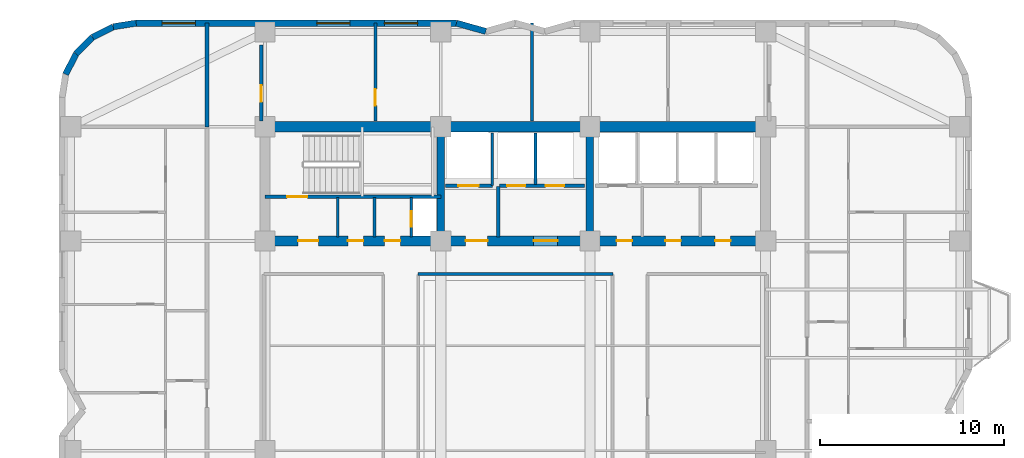
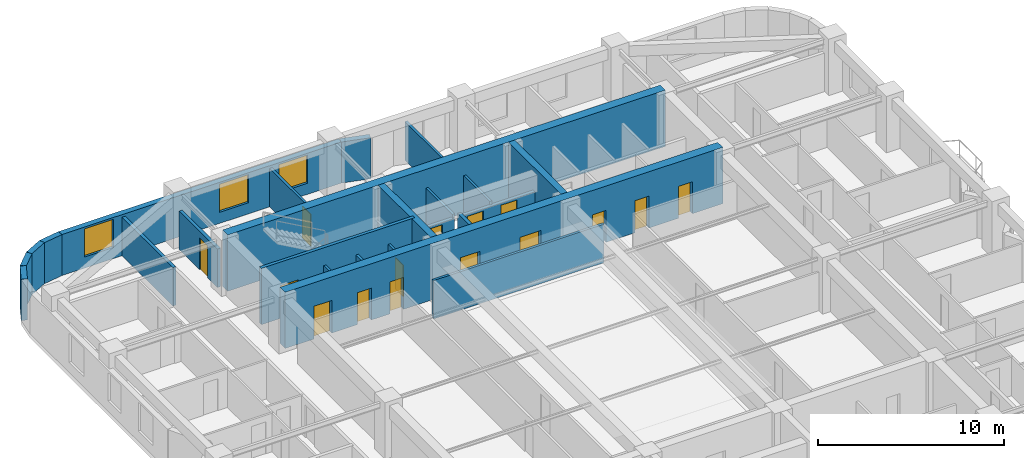
# One storey, part 6 of 10: 24 walls, 15 doors, 3 windows, 18 openings.
"""IFC4 building model written with IfcOpenShell, lengths in metres."""

from ifc_helpers import new_model, si_unit, direction, frame, frame_2d, origin, place, context, subcontext, project, spatial, rectangle, extrude, material, layer, layer_set, type_object, element, fill, save


model = new_model("IFC4")

# Units and contexts
model_context = context("Model", 3, precision=1e-05, world=origin(), true_north=direction((0.0, 1.0)))
body_context = subcontext(model_context, "Body", "Model", "MODEL_VIEW")
ifc_project = project(units=[si_unit("LENGTHUNIT", "METRE"), si_unit("AREAUNIT", "SQUARE_METRE"), si_unit("VOLUMEUNIT", "CUBIC_METRE"), si_unit("PLANEANGLEUNIT", "RADIAN"), si_unit("MASSUNIT", "GRAM", prefix="KILO")], contexts=[model_context])

# Site, building, storey
site_placement = place(None, origin())
site = spatial("IfcSite", under=ifc_project, at=site_placement, CompositionType="ELEMENT")
building_placement = place(site_placement, origin())
building = spatial("IfcBuilding", under=site, at=building_placement, Name="Svetorya Sky Lyceum", CompositionType="ELEMENT")
storey_placement = place(building_placement, frame((0.0, 0.0, 129.0)))
storey = spatial("IfcBuildingStorey", under=building, at=storey_placement, Name="L32", CompositionType="ELEMENT", Elevation=129.0)

# Walls
ifc_material_1 = material(Name="Concrete C40/50", Category="concrete")
ifc_layer_1 = layer(ifc_material_1, 0.39990234375)
ifc_layer_set_1 = layer_set([ifc_layer_1], Name="Concrete C40/50")
wall_type_1 = type_object("IfcWallType", Name="WL-CORE-400", PredefinedType="SHEAR", material=ifc_layer_set_1)
for number, where, z_axis, x_axis, name in (
    (1, (35.14990234375, 39.875, 0.0), (0.0, 0.0, 1.0), (0.0, 1.0, 0.0), "L32 NC Internal Shear Web WEB1"),
    (2, (43.25, 39.875, 0.0), (0.0, 0.0, 1.0), (0.0, 1.0, 0.0), "L32 NC Internal Shear Web WEB2"),
):
    element("IfcWall", number, at=place(storey_placement, frame(where, z_axis=z_axis, x_axis=x_axis)), inside=storey, type_object=wall_type_1, Name=name, PredefinedType="SHEAR", context=body_context, shape_type="SweptSolid", body=[
        extrude(rectangle(XDim=5.64990234375, YDim=0.39990234375, at=frame_2d((2.824951171875, 0.0))), origin(), (0.0, 0.0, 1.0), 3.699951171875),
    ])
ifc_material_2 = material(Name="Concrete C60/75", Category="concrete")
ifc_layer_2 = layer(ifc_material_2, 0.550048828125)
ifc_layer_set_2 = layer_set([ifc_layer_2], Name="Concrete C60/75")
wall_type_2 = type_object("IfcWallType", Name="WL-CORE-550", PredefinedType="SHEAR", material=ifc_layer_set_2)
wall_1_placement = place(storey_placement, frame((25.60009765625, 45.800048828125, 0.0), z_axis=(0.0, 0.0, 1.0), x_axis=(1.0, 0.0, 0.0)))
element("IfcWall", 3, at=wall_1_placement, inside=storey, type_object=wall_type_2, Name="L32 NC Outer Core Shear Wall", PredefinedType="SHEAR", context=body_context, shape_type="SweptSolid", body=[
    extrude(rectangle(XDim=27.199951171875, YDim=0.550048828125, at=frame_2d((13.60009765625, 0.0))), origin(), (0.0, 0.0, 1.0), 3.699951171875),
])

# Wall, openings, doors
wall_2_placement = place(storey_placement, frame((52.800048828125, 39.60009765625, 0.0), z_axis=(0.0, 0.0, 1.0), x_axis=(-1.0, 0.0, 0.0)))
wall_2 = element("IfcWall", 4, at=wall_2_placement, inside=storey, type_object=wall_type_2, Name="L32 NC Inner Core Shear Wall", PredefinedType="SHEAR", context=body_context, shape_type="SweptSolid", body=[
    extrude(rectangle(XDim=27.199951171875, YDim=0.550048828125, at=frame_2d((13.60009765625, 0.0))), origin(), (0.0, 0.0, 1.0), 3.699951171875),
])
opening_1_placement = place(wall_2_placement, frame((24.300048828125, 0.0, 0.0)))
opening_1 = element("IfcOpeningElement", 5, at=opening_1_placement, cuts=wall_2, Name="Opening D-ST1", PredefinedType="OPENING", context=body_context, shape_type="SweptSolid", body=[
    extrude(rectangle(XDim=1.10009765625, YDim=2.14990234375, at=frame_2d((0.550048828125, 1.074951171875))), frame((0.0, 0.284912109375, 0.0), z_axis=(0.0, -1.0, 0.0), x_axis=(1.0, 0.0, 0.0)), (0.0, 0.0, 1.0), 0.570068359375),
])
opening_2_placement = place(wall_2_placement, frame((21.85009765625, 0.0, 0.0)))
opening_2 = element("IfcOpeningElement", 6, at=opening_2_placement, cuts=wall_2, Name="Opening D-CWC1", PredefinedType="OPENING", context=body_context, shape_type="SweptSolid", body=[
    extrude(rectangle(XDim=0.85009765625, YDim=2.10009765625, at=frame_2d((0.425048828125, 1.050048828125))), frame((0.0, 0.284912109375, 0.0), z_axis=(0.0, -1.0, 0.0), x_axis=(1.0, 0.0, 0.0)), (0.0, 0.0, 1.0), 0.570068359375),
])
opening_3_placement = place(wall_2_placement, frame((19.85009765625, 0.0, 0.0)))
opening_3 = element("IfcOpeningElement", 7, at=opening_3_placement, cuts=wall_2, Name="Opening D-CWC1", PredefinedType="OPENING", context=body_context, shape_type="SweptSolid", body=[
    extrude(rectangle(XDim=0.85009765625, YDim=2.10009765625, at=frame_2d((0.425048828125, 1.050048828125))), frame((0.0, 0.284912109375, 0.0), z_axis=(0.0, -1.0, 0.0), x_axis=(1.0, 0.0, 0.0)), (0.0, 0.0, 1.0), 0.570068359375),
])
opening_4_placement = place(wall_2_placement, frame((15.10009765625, 0.0, 0.0)))
opening_4 = element("IfcOpeningElement", 8, at=opening_4_placement, cuts=wall_2, Name="Opening D-FL1", PredefinedType="OPENING", context=body_context, shape_type="SweptSolid", body=[
    extrude(rectangle(XDim=1.199951171875, YDim=2.14990234375, at=frame_2d((0.60009765625, 1.074951171875))), frame((0.0, 0.284912109375, 0.0), z_axis=(0.0, -1.0, 0.0), x_axis=(1.0, 0.0, 0.0)), (0.0, 0.0, 1.0), 0.570068359375),
])
opening_5_placement = place(wall_2_placement, frame((11.300048828125, 0.0, 0.0)))
opening_5 = element("IfcOpeningElement", 9, at=opening_5_placement, cuts=wall_2, Name="Opening D-LB1", PredefinedType="OPENING", context=body_context, shape_type="SweptSolid", body=[
    extrude(rectangle(XDim=1.300048828125, YDim=2.199951171875, at=frame_2d((0.64990234375, 1.10009765625))), frame((0.0, 0.284912109375, 0.0), z_axis=(0.0, -1.0, 0.0), x_axis=(1.0, 0.0, 0.0)), (0.0, 0.0, 1.0), 0.570068359375),
])
opening_6_placement = place(wall_2_placement, frame((7.25, 0.0, 0.0)))
opening_6 = element("IfcOpeningElement", 10, at=opening_6_placement, cuts=wall_2, Name="Opening D-CWC1", PredefinedType="OPENING", context=body_context, shape_type="SweptSolid", body=[
    extrude(rectangle(XDim=0.85009765625, YDim=2.10009765625, at=frame_2d((0.425048828125, 1.050048828125))), frame((0.0, 0.284912109375, 0.0), z_axis=(0.0, -1.0, 0.0), x_axis=(1.0, 0.0, 0.0)), (0.0, 0.0, 1.0), 0.570068359375),
])
opening_7_placement = place(wall_2_placement, frame((4.60009765625, 0.0, 0.0)))
opening_7 = element("IfcOpeningElement", 11, at=opening_7_placement, cuts=wall_2, Name="Opening D-CWC1", PredefinedType="OPENING", context=body_context, shape_type="SweptSolid", body=[
    extrude(rectangle(XDim=0.85009765625, YDim=2.10009765625, at=frame_2d((0.425048828125, 1.050048828125))), frame((0.0, 0.284912109375, 0.0), z_axis=(0.0, -1.0, 0.0), x_axis=(1.0, 0.0, 0.0)), (0.0, 0.0, 1.0), 0.570068359375),
])
opening_8_placement = place(wall_2_placement, frame((1.89990234375, 0.0, 0.0)))
opening_8 = element("IfcOpeningElement", 12, at=opening_8_placement, cuts=wall_2, Name="Opening D-CWC1", PredefinedType="OPENING", context=body_context, shape_type="SweptSolid", body=[
    extrude(rectangle(XDim=0.85009765625, YDim=2.10009765625, at=frame_2d((0.425048828125, 1.050048828125))), frame((0.0, 0.284912109375, 0.0), z_axis=(0.0, -1.0, 0.0), x_axis=(1.0, 0.0, 0.0)), (0.0, 0.0, 1.0), 0.570068359375),
])
ifc_material_3 = material(Name="Fire-rated galvanized steel core service closet door", Category="steel")
door_type_1 = type_object("IfcDoorType", Name="DR-CWET-850", OperationType="SINGLE_SWING_LEFT", PredefinedType="DOOR", material=ifc_material_3)
door_1_placement = place(opening_2_placement, origin())
door_1 = element("IfcDoor", 13, at=door_1_placement, inside=storey, type_object=door_type_1, Name="L32 North Cleaner Door", OperationType="SINGLE_SWING_RIGHT", OverallHeight=2.10009765625, OverallWidth=0.85009765625, PredefinedType="DOOR", context=body_context, shape_type="SweptSolid", body=[
    extrude(rectangle(XDim=0.85009765625, YDim=2.10009765625, at=frame_2d((0.425048828125, 1.050048828125))), frame((0.0, 0.02490234375, 0.0), z_axis=(0.0, -1.0, 0.0), x_axis=(1.0, 0.0, 0.0)), (0.0, 0.0, 1.0), 0.050048828125),
])
fill(opening_2, door_1)
door_2_placement = place(opening_3_placement, origin())
door_2 = element("IfcDoor", 14, at=door_2_placement, inside=storey, type_object=door_type_1, Name="L32 North Meter Door", OperationType="SINGLE_SWING_LEFT", OverallHeight=2.10009765625, OverallWidth=0.85009765625, PredefinedType="DOOR", context=body_context, shape_type="SweptSolid", body=[
    extrude(rectangle(XDim=0.85009765625, YDim=2.10009765625, at=frame_2d((0.425048828125, 1.050048828125))), frame((0.0, 0.02490234375, 0.0), z_axis=(0.0, -1.0, 0.0), x_axis=(1.0, 0.0, 0.0)), (0.0, 0.0, 1.0), 0.050048828125),
])
fill(opening_3, door_2)
door_3_placement = place(opening_6_placement, origin())
door_3 = element("IfcDoor", 15, at=door_3_placement, inside=storey, type_object=door_type_1, Name="L32 Mid-Rise Lift PM3 Lobby Door", OperationType="SINGLE_SWING_LEFT", OverallHeight=2.10009765625, OverallWidth=0.85009765625, PredefinedType="DOOR", context=body_context, shape_type="SweptSolid", body=[
    extrude(rectangle(XDim=0.85009765625, YDim=2.10009765625, at=frame_2d((0.425048828125, 1.050048828125))), frame((0.0, 0.02490234375, 0.0), z_axis=(0.0, -1.0, 0.0), x_axis=(1.0, 0.0, 0.0)), (0.0, 0.0, 1.0), 0.050048828125),
])
fill(opening_6, door_3)
door_4_placement = place(opening_7_placement, origin())
door_4 = element("IfcDoor", 16, at=door_4_placement, inside=storey, type_object=door_type_1, Name="L32 Mid-Rise WC Door", OperationType="SINGLE_SWING_LEFT", OverallHeight=2.10009765625, OverallWidth=0.85009765625, PredefinedType="DOOR", context=body_context, shape_type="SweptSolid", body=[
    extrude(rectangle(XDim=0.85009765625, YDim=2.10009765625, at=frame_2d((0.425048828125, 1.050048828125))), frame((0.0, 0.02490234375, 0.0), z_axis=(0.0, -1.0, 0.0), x_axis=(1.0, 0.0, 0.0)), (0.0, 0.0, 1.0), 0.050048828125),
])
fill(opening_7, door_4)
door_5_placement = place(opening_8_placement, origin())
door_5 = element("IfcDoor", 17, at=door_5_placement, inside=storey, type_object=door_type_1, Name="L32 Mid-Rise Switch Closet Door", OperationType="SINGLE_SWING_RIGHT", OverallHeight=2.10009765625, OverallWidth=0.85009765625, PredefinedType="DOOR", context=body_context, shape_type="SweptSolid", body=[
    extrude(rectangle(XDim=0.85009765625, YDim=2.10009765625, at=frame_2d((0.425048828125, 1.050048828125))), frame((0.0, 0.02490234375, 0.0), z_axis=(0.0, -1.0, 0.0), x_axis=(1.0, 0.0, 0.0)), (0.0, 0.0, 1.0), 0.050048828125),
])
fill(opening_8, door_5)
ifc_material_4 = material(Name="Powder-coated insulated galvanized stair fire door")
door_type_2 = type_object("IfcDoorType", Name="DR-FIRE-1100", OperationType="SINGLE_SWING_LEFT", PredefinedType="DOOR", material=ifc_material_4)
door_6_placement = place(opening_1_placement, origin())
door_6 = element("IfcDoor", 18, at=door_6_placement, inside=storey, type_object=door_type_2, Name="L32 North Stair Airlock Door", OperationType="SINGLE_SWING_LEFT", OverallHeight=2.14990234375, OverallWidth=1.10009765625, PredefinedType="DOOR", context=body_context, shape_type="SweptSolid", body=[
    extrude(rectangle(XDim=1.10009765625, YDim=2.14990234375, at=frame_2d((0.550048828125, 1.074951171875))), frame((0.0, 0.02490234375, 0.0), z_axis=(0.0, -1.0, 0.0), x_axis=(1.0, 0.0, 0.0)), (0.0, 0.0, 1.0), 0.050048828125),
])
fill(opening_1, door_6)
ifc_material_5 = material(Name="Powder-coated insulated galvanized fire door")
door_type_3 = type_object("IfcDoorType", Name="DR-FIRE-1200", OperationType="SINGLE_SWING_LEFT", PredefinedType="DOOR", material=ifc_material_5)
door_7_placement = place(opening_4_placement, origin())
door_7 = element("IfcDoor", 19, at=door_7_placement, inside=storey, type_object=door_type_3, Name="L32 North Firefighting Lift Lobby Door", OperationType="SINGLE_SWING_RIGHT", OverallHeight=2.14990234375, OverallWidth=1.199951171875, PredefinedType="DOOR", context=body_context, shape_type="SweptSolid", body=[
    extrude(rectangle(XDim=1.199951171875, YDim=2.14990234375, at=frame_2d((0.60009765625, 1.074951171875))), frame((0.0, 0.02490234375, 0.0), z_axis=(0.0, -1.0, 0.0), x_axis=(1.0, 0.0, 0.0)), (0.0, 0.0, 1.0), 0.050048828125),
])
fill(opening_4, door_7)
ifc_material_6 = material(Name="Glazed fire-rated aluminium lobby door", Category="aluminium")
door_type_4 = type_object("IfcDoorType", Name="DR-LOB-1300", OperationType="SINGLE_SWING_LEFT", PredefinedType="DOOR", material=ifc_material_6)
door_8_placement = place(opening_5_placement, origin())
door_8 = element("IfcDoor", 20, at=door_8_placement, inside=storey, type_object=door_type_4, Name="L32 Mid-Rise Lift Lobby West Door", OperationType="SINGLE_SWING_LEFT", OverallHeight=2.199951171875, OverallWidth=1.300048828125, PredefinedType="DOOR", context=body_context, shape_type="SweptSolid", body=[
    extrude(rectangle(XDim=1.300048828125, YDim=2.199951171875, at=frame_2d((0.64990234375, 1.10009765625))), frame((0.0, 0.02490234375, 0.0), z_axis=(0.0, -1.0, 0.0), x_axis=(1.0, 0.0, 0.0)), (0.0, 0.0, 1.0), 0.050048828125),
])
fill(opening_5, door_8)

# Wall
ifc_material_7 = material(Name="Putilovo limestone rainscreen on autoclaved cellular masonry", Category="masonry")
ifc_layer_3 = layer(ifc_material_7, 0.340087890625)
ifc_layer_set_3 = layer_set([ifc_layer_3], Name="Putilovo limestone rainscreen on autoclaved cellular masonry")
wall_type_3 = type_object("IfcWallType", Name="WL-EXT-340", PredefinedType="SOLIDWALL", material=ifc_layer_set_3)
wall_3_placement = place(storey_placement, frame((37.60009765625, 50.97998046875, 0.0), z_axis=(0.0, 0.0, 1.0), x_axis=(-0.962662902433, 0.270703040766, 0.0)))
element("IfcWall", 21, at=wall_3_placement, inside=storey, type_object=wall_type_3, Name="L32 Limestone Exterior Wall 33M", PredefinedType="SOLIDWALL", context=body_context, shape_type="SweptSolid", body=[
    extrude(rectangle(XDim=1.662109375, YDim=0.340087890625, at=frame_2d((0.8310546875, 0.0))), origin(), (0.0, 0.0, 1.0), 2.699951171875),
])

# Wall, openings, windows
wall_4_placement = place(storey_placement, frame((36.0, 51.429931640625, 0.0), z_axis=(0.0, 0.0, 1.0), x_axis=(-1.0, 0.0, 0.0)))
wall_4 = element("IfcWall", 22, at=wall_4_placement, inside=storey, type_object=wall_type_3, Name="L32 Limestone Exterior Wall 34M", PredefinedType="SOLIDWALL", context=body_context, shape_type="SweptSolid", body=[
    extrude(rectangle(XDim=17.39990234375, YDim=0.340087890625, at=frame_2d((8.699951171875, 0.0))), origin(), (0.0, 0.0, 1.0), 2.699951171875),
])
opening_9_placement = place(wall_4_placement, frame((2.112548828125, 0.0, 0.72998046875)))
opening_9 = element("IfcOpeningElement", 23, at=opening_9_placement, cuts=wall_4, Name="Opening W-R1", PredefinedType="OPENING", context=body_context, shape_type="SweptSolid", body=[
    extrude(rectangle(XDim=1.800048828125, YDim=1.85009765625, at=frame_2d((0.89990234375, 0.925048828125))), frame((0.0, 0.179931640625, 0.0), z_axis=(0.0, -1.0, 0.0), x_axis=(1.0, 0.0, 0.0)), (0.0, 0.0, 1.0), 0.360107421875),
])
opening_10_placement = place(wall_4_placement, frame((5.78759765625, 0.0, 0.72998046875)))
opening_10 = element("IfcOpeningElement", 24, at=opening_10_placement, cuts=wall_4, Name="Opening W-R1", PredefinedType="OPENING", context=body_context, shape_type="SweptSolid", body=[
    extrude(rectangle(XDim=1.800048828125, YDim=1.85009765625, at=frame_2d((0.89990234375, 0.925048828125))), frame((0.0, 0.179931640625, 0.0), z_axis=(0.0, -1.0, 0.0), x_axis=(1.0, 0.0, 0.0)), (0.0, 0.0, 1.0), 0.360107421875),
])
opening_11_placement = place(wall_4_placement, frame((14.1875, 0.0, 0.72998046875)))
opening_11 = element("IfcOpeningElement", 25, at=opening_11_placement, cuts=wall_4, Name="Opening W-R1", PredefinedType="OPENING", context=body_context, shape_type="SweptSolid", body=[
    extrude(rectangle(XDim=1.800048828125, YDim=1.85009765625, at=frame_2d((0.89990234375, 0.925048828125))), frame((0.0, 0.179931640625, 0.0), z_axis=(0.0, -1.0, 0.0), x_axis=(1.0, 0.0, 0.0)), (0.0, 0.0, 1.0), 0.360107421875),
])
ifc_material_8 = material(Name="Thermally broken aluminium frame with triple low-E glazing", Category="aluminium")
window_type = type_object("IfcWindowType", Name="WN-RES-180", PartitioningType="DOUBLE_PANEL_VERTICAL", PredefinedType="WINDOW", material=ifc_material_8)
window_1_placement = place(opening_9_placement, origin())
window_1 = element("IfcWindow", 26, at=window_1_placement, inside=storey, type_object=window_type, Name="L32 Facade Window W-R1.34M.1", OverallHeight=1.85009765625, OverallWidth=1.800048828125, PartitioningType="SINGLE_PANEL", PredefinedType="WINDOW", context=body_context, shape_type="SweptSolid", body=[
    extrude(rectangle(XDim=1.800048828125, YDim=1.85009765625, at=frame_2d((0.89990234375, 0.925048828125))), frame((0.0, 0.030029296875, 0.0), z_axis=(0.0, -1.0, 0.0), x_axis=(1.0, 0.0, 0.0)), (0.0, 0.0, 1.0), 0.06005859375),
])
fill(opening_9, window_1)
window_2_placement = place(opening_10_placement, origin())
window_2 = element("IfcWindow", 27, at=window_2_placement, inside=storey, type_object=window_type, Name="L32 Facade Window W-R1.34M.2", OverallHeight=1.85009765625, OverallWidth=1.800048828125, PartitioningType="SINGLE_PANEL", PredefinedType="WINDOW", context=body_context, shape_type="SweptSolid", body=[
    extrude(rectangle(XDim=1.800048828125, YDim=1.85009765625, at=frame_2d((0.89990234375, 0.925048828125))), frame((0.0, 0.030029296875, 0.0), z_axis=(0.0, -1.0, 0.0), x_axis=(1.0, 0.0, 0.0)), (0.0, 0.0, 1.0), 0.06005859375),
])
fill(opening_10, window_2)
window_3_placement = place(opening_11_placement, origin())
window_3 = element("IfcWindow", 28, at=window_3_placement, inside=storey, type_object=window_type, Name="L32 Facade Window W-R1.34M.3", OverallHeight=1.85009765625, OverallWidth=1.800048828125, PartitioningType="SINGLE_PANEL", PredefinedType="WINDOW", context=body_context, shape_type="SweptSolid", body=[
    extrude(rectangle(XDim=1.800048828125, YDim=1.85009765625, at=frame_2d((0.89990234375, 0.925048828125))), frame((0.0, 0.030029296875, 0.0), z_axis=(0.0, -1.0, 0.0), x_axis=(1.0, 0.0, 0.0)), (0.0, 0.0, 1.0), 0.06005859375),
])
fill(opening_11, window_3)

# Walls
wall_5_placement = place(storey_placement, frame((18.60009765625, 51.429931640625, 0.0), z_axis=(0.0, 0.0, 1.0), x_axis=(-0.98771582066, -0.156260864002, 0.0)))
element("IfcWall", 29, at=wall_5_placement, inside=storey, type_object=wall_type_3, Name="L32 Limestone Exterior Wall 35M", PredefinedType="SOLIDWALL", context=body_context, shape_type="SweptSolid", body=[
    extrude(rectangle(XDim=1.2607421875, YDim=0.340087890625, at=frame_2d((0.63037109375, 0.0))), origin(), (0.0, 0.0, 1.0), 2.699951171875),
])
for number, where, z_axis, x_axis, name in (
    (30, (17.354736328125, 51.23291015625, 0.0), (0.0, 0.0, 1.0), (-0.890993689142, -0.454015689056, 0.0), "L32 Limestone Exterior Wall 36M"),
    (31, (16.231201171875, 50.660400390625, 0.0), (0.0, 0.0, 1.0), (-0.707106781187, -0.707106781187, 0.0), "L32 Limestone Exterior Wall 37M"),
    (32, (15.339599609375, 49.768798828125, 0.0), (0.0, 0.0, 1.0), (-0.454015689056, -0.890993689142, 0.0), "L32 Limestone Exterior Wall 38M"),
):
    element("IfcWall", number, at=place(storey_placement, frame(where, z_axis=z_axis, x_axis=x_axis)), inside=storey, type_object=wall_type_3, Name=name, PredefinedType="SOLIDWALL", context=body_context, shape_type="SweptSolid", body=[
        extrude(rectangle(XDim=1.260986328125, YDim=0.340087890625, at=frame_2d((0.63037109375, 0.0))), origin(), (0.0, 0.0, 1.0), 2.699951171875),
    ])

# Wall, opening, door
ifc_material_9 = material(Name="Autoclaved cellular masonry blockwork with acoustic render", Category="masonry")
ifc_layer_4 = layer(ifc_material_9, 0.14990234375)
ifc_layer_set_4 = layer_set([ifc_layer_4], Name="Autoclaved cellular masonry blockwork with acoustic render")
wall_type_4 = type_object("IfcWallType", Name="WL-PART-150", PredefinedType="PARTITIONING", material=ifc_layer_set_4)
wall_6_placement = place(storey_placement, frame((33.550048828125, 39.820068359375, 0.0), z_axis=(0.0, 0.0, 1.0), x_axis=(0.0, 1.0, 0.0)))
wall_6 = element("IfcWall", 33, at=wall_6_placement, inside=storey, type_object=wall_type_4, Name="L32 Interior Partition NC-RSRW", PredefinedType="PARTITIONING", context=body_context, shape_type="SweptSolid", body=[
    extrude(rectangle(XDim=2.1298828125, YDim=0.14990234375, at=frame_2d((1.06494140625, 0.0))), origin(), (0.0, 0.0, 1.0), 2.530029296875),
])
opening_12_placement = place(wall_6_placement, frame((0.550048828125, 0.0, 0.0)))
opening_12 = element("IfcOpeningElement", 34, at=opening_12_placement, cuts=wall_6, Name="Opening D-SH1", PredefinedType="OPENING", context=body_context, shape_type="SweptSolid", body=[
    extrude(rectangle(XDim=0.85009765625, YDim=2.050048828125, at=frame_2d((0.425048828125, 1.02490234375))), frame((0.0, 0.0849609375, 0.0), z_axis=(0.0, -1.0, 0.0), x_axis=(1.0, 0.0, 0.0)), (0.0, 0.0, 1.0), 0.169921875),
])
ifc_material_10 = material(Name="Insulated galvanized riser inspection fire door")
door_type_5 = type_object("IfcDoorType", Name="DR-SHFT-850", OperationType="SINGLE_SWING_LEFT", PredefinedType="TRAPDOOR", material=ifc_material_10)
door_9_placement = place(opening_12_placement, origin())
door_9 = element("IfcDoor", 35, at=door_9_placement, inside=storey, type_object=door_type_5, Name="L32 North Riser Access Door", OperationType="SINGLE_SWING_LEFT", OverallHeight=2.050048828125, OverallWidth=0.85009765625, PredefinedType="TRAPDOOR", context=body_context, shape_type="SweptSolid", body=[
    extrude(rectangle(XDim=0.85009765625, YDim=2.050048828125, at=frame_2d((0.425048828125, 1.02490234375))), frame((0.0, 0.02490234375, 0.0), z_axis=(0.0, -1.0, 0.0), x_axis=(1.0, 0.0, 0.0)), (0.0, 0.0, 1.0), 0.050048828125),
])
fill(opening_12, door_9)

# Walls
for number, where, z_axis, x_axis, name in (
    (36, (29.550048828125, 39.820068359375, 0.0), (0.0, 0.0, 1.0), (0.0, 1.0, 0.0), "L32 Interior Partition NC-NWD1"),
    (37, (31.550048828125, 39.820068359375, 0.0), (0.0, 0.0, 1.0), (0.0, 1.0, 0.0), "L32 Interior Partition NC-NWD2"),
):
    element("IfcWall", number, at=place(storey_placement, frame(where, z_axis=z_axis, x_axis=x_axis)), inside=storey, type_object=wall_type_4, Name=name, PredefinedType="PARTITIONING", context=body_context, shape_type="SweptSolid", body=[
        extrude(rectangle(XDim=2.1298828125, YDim=0.14990234375, at=frame_2d((1.06494140625, 0.0))), origin(), (0.0, 0.0, 1.0), 2.530029296875),
    ])
wall_7_placement = place(storey_placement, frame((37.949951171875, 42.60009765625, 0.0), z_axis=(0.0, 0.0, 1.0), x_axis=(0.0, 1.0, 0.0)))
element("IfcWall", 38, at=wall_7_placement, inside=storey, type_object=wall_type_4, Name="L32 Interior Partition NC-FL1SIDE", PredefinedType="PARTITIONING", context=body_context, shape_type="SweptSolid", body=[
    extrude(rectangle(XDim=2.849853515625, YDim=0.14990234375, at=frame_2d((1.4248046875, 0.0))), origin(), (0.0, 0.0, 1.0), 2.530029296875),
])
wall_8_placement = place(storey_placement, frame((40.300048828125, 42.64990234375, 0.0), z_axis=(0.0, 0.0, 1.0), x_axis=(0.0, 1.0, 0.0)))
element("IfcWall", 39, at=wall_8_placement, inside=storey, type_object=wall_type_4, Name="L32 Interior Partition NC-PM-D1", PredefinedType="PARTITIONING", context=body_context, shape_type="SweptSolid", body=[
    extrude(rectangle(XDim=2.800048828125, YDim=0.14990234375, at=frame_2d((1.39990234375, 0.0))), origin(), (0.0, 0.0, 1.0), 2.530029296875),
])
wall_9_placement = place(storey_placement, frame((33.89990234375, 37.800048828125, 0.0), z_axis=(0.0, 0.0, 1.0), x_axis=(1.0, 0.0, 0.0)))
element("IfcWall", 40, at=wall_9_placement, inside=storey, type_object=wall_type_4, Name="L32 Interior Partition RL-CN-M", PredefinedType="PARTITIONING", context=body_context, shape_type="SweptSolid", body=[
    extrude(rectangle(XDim=10.60009765625, YDim=0.14990234375, at=frame_2d((5.300048828125, 0.0))), origin(), (0.0, 0.0, 1.0), 2.530029296875),
])

# Wall, opening, door
wall_10_placement = place(storey_placement, frame((31.60009765625, 46.10009765625, 0.0), z_axis=(0.0, 0.0, 1.0), x_axis=(0.0, 1.0, 0.0)))
wall_10 = element("IfcWall", 41, at=wall_10_placement, inside=storey, type_object=wall_type_4, Name="L32 Interior Partition N4-D1", PredefinedType="PARTITIONING", context=body_context, shape_type="SweptSolid", body=[
    extrude(rectangle(XDim=5.329833984375, YDim=0.14990234375, at=frame_2d((2.6650390625, 0.0))), origin(), (0.0, 0.0, 1.0), 2.530029296875),
])
opening_13_placement = place(wall_10_placement, frame((0.85009765625, 0.0, 0.0)))
opening_13 = element("IfcOpeningElement", 42, at=opening_13_placement, cuts=wall_10, Name="Opening D-RM1", PredefinedType="OPENING", context=body_context, shape_type="SweptSolid", body=[
    extrude(rectangle(XDim=0.89990234375, YDim=2.10009765625, at=frame_2d((0.449951171875, 1.050048828125))), frame((0.0, 0.0849609375, 0.0), z_axis=(0.0, -1.0, 0.0), x_axis=(1.0, 0.0, 0.0)), (0.0, 0.0, 1.0), 0.169921875),
])
ifc_material_11 = material(Name="Lacquered birch veneer internal door")
door_type_6 = type_object("IfcDoorType", Name="DR-INT-900", OperationType="SINGLE_SWING_LEFT", PredefinedType="DOOR", material=ifc_material_11)
door_10_placement = place(opening_13_placement, origin())
door_10 = element("IfcDoor", 43, at=door_10_placement, inside=storey, type_object=door_type_6, Name="L32 North Suite Door 1", OperationType="SINGLE_SWING_RIGHT", OverallHeight=2.10009765625, OverallWidth=0.89990234375, PredefinedType="DOOR", context=body_context, shape_type="SweptSolid", body=[
    extrude(rectangle(XDim=0.89990234375, YDim=2.10009765625, at=frame_2d((0.449951171875, 1.050048828125))), frame((0.0, 0.02490234375, 0.0), z_axis=(0.0, -1.0, 0.0), x_axis=(1.0, 0.0, 0.0)), (0.0, 0.0, 1.0), 0.050048828125),
])
fill(opening_13, door_10)

# Wall
wall_11_placement = place(storey_placement, frame((40.10009765625, 46.10009765625, 0.0), z_axis=(0.0, 0.0, 1.0), x_axis=(0.0, 1.0, 0.0)))
element("IfcWall", 44, at=wall_11_placement, inside=storey, type_object=wall_type_4, Name="L32 Interior Partition N4-D2", PredefinedType="PARTITIONING", context=body_context, shape_type="SweptSolid", body=[
    extrude(rectangle(XDim=5.329833984375, YDim=0.14990234375, at=frame_2d((2.6650390625, 0.0))), origin(), (0.0, 0.0, 1.0), 2.530029296875),
])

# Wall, opening, door
ifc_material_12 = material(Name="Autoclaved cellular masonry blockwork with gypsum plaster", Category="masonry")
ifc_layer_5 = layer(ifc_material_12, 0.199951171875)
ifc_layer_set_5 = layer_set([ifc_layer_5], Name="Autoclaved cellular masonry blockwork with gypsum plaster")
wall_type_5 = type_object("IfcWallType", Name="WL-PART-200", PredefinedType="PARTITIONING", material=ifc_layer_set_5)
wall_12_placement = place(storey_placement, frame((37.949951171875, 42.60009765625, 0.0), z_axis=(0.0, 0.0, 1.0), x_axis=(-1.0, 0.0, 0.0)))
wall_12 = element("IfcWall", 45, at=wall_12_placement, inside=storey, type_object=wall_type_5, Name="L32 Interior Partition NC-FL1W", PredefinedType="PARTITIONING", context=body_context, shape_type="SweptSolid", body=[
    extrude(rectangle(XDim=2.550048828125, YDim=0.199951171875, at=frame_2d((1.27490234375, 0.0))), origin(), (0.0, 0.0, 1.0), 2.300048828125),
])
opening_14_placement = place(wall_12_placement, frame((0.75, 0.0, 0.0)))
opening_14 = element("IfcOpeningElement", 46, at=opening_14_placement, cuts=wall_12, Name="Opening LD-FL", PredefinedType="OPENING", context=body_context, shape_type="SweptSolid", body=[
    extrude(rectangle(XDim=1.10009765625, YDim=2.14990234375, at=frame_2d((0.550048828125, 1.074951171875))), frame((0.0, 0.10986328125, 0.0), z_axis=(0.0, -1.0, 0.0), x_axis=(1.0, 0.0, 0.0)), (0.0, 0.0, 1.0), 0.219970703125),
])
ifc_material_13 = material(Name="Fire-rated stainless AISI 304 firefighting lift landing door")
door_type_7 = type_object("IfcDoorType", Name="DR-LIFT-1100", OperationType="SLIDING_TO_LEFT", PredefinedType="DOOR", material=ifc_material_13)
door_11_placement = place(opening_14_placement, origin())
door_11 = element("IfcDoor", 47, at=door_11_placement, inside=storey, type_object=door_type_7, Name="L32 Firefighting Lift FL1 Landing Door", OperationType="SLIDING_TO_LEFT", OverallHeight=2.14990234375, OverallWidth=1.10009765625, PredefinedType="DOOR", context=body_context, shape_type="SweptSolid", body=[
    extrude(rectangle(XDim=1.10009765625, YDim=2.14990234375, at=frame_2d((0.550048828125, 1.074951171875))), frame((0.0, 0.02490234375, 0.0), z_axis=(0.0, -1.0, 0.0), x_axis=(1.0, 0.0, 0.0)), (0.0, 0.0, 1.0), 0.050048828125),
])
fill(opening_14, door_11)

# Wall
wall_13_placement = place(storey_placement, frame((38.280029296875, 39.820068359375, 0.0), z_axis=(0.0, 0.0, 1.0), x_axis=(0.0, 1.0, 0.0)))
element("IfcWall", 48, at=wall_13_placement, inside=storey, type_object=wall_type_5, Name="L32 Interior Partition NC-FFLDIV", PredefinedType="PARTITIONING", context=body_context, shape_type="SweptSolid", body=[
    extrude(rectangle(XDim=2.72998046875, YDim=0.199951171875, at=frame_2d((1.364990234375, 0.0))), origin(), (0.0, 0.0, 1.0), 2.530029296875),
])

# Wall, openings, doors
wall_14_placement = place(storey_placement, frame((42.949951171875, 42.60009765625, 0.0), z_axis=(0.0, 0.0, 1.0), x_axis=(-1.0, 0.0, 0.0)))
wall_14 = element("IfcWall", 49, at=wall_14_placement, inside=storey, type_object=wall_type_5, Name="L32 Interior Partition NC-PM12W", PredefinedType="PARTITIONING", context=body_context, shape_type="SweptSolid", body=[
    extrude(rectangle(XDim=4.599853515625, YDim=0.199951171875, at=frame_2d((2.2998046875, 0.0))), origin(), (0.0, 0.0, 1.0), 2.300048828125),
])
opening_15_placement = place(wall_14_placement, frame((3.199951171875, 0.0, 0.0)))
opening_15 = element("IfcOpeningElement", 50, at=opening_15_placement, cuts=wall_14, Name="Opening LD-P1", PredefinedType="OPENING", context=body_context, shape_type="SweptSolid", body=[
    extrude(rectangle(XDim=1.0, YDim=2.14990234375, at=frame_2d((0.5, 1.074951171875))), frame((0.0, 0.10986328125, 0.0), z_axis=(0.0, -1.0, 0.0), x_axis=(1.0, 0.0, 0.0)), (0.0, 0.0, 1.0), 0.219970703125),
])
opening_16_placement = place(wall_14_placement, frame((1.10009765625, 0.0, 0.0)))
opening_16 = element("IfcOpeningElement", 51, at=opening_16_placement, cuts=wall_14, Name="Opening LD-P1", PredefinedType="OPENING", context=body_context, shape_type="SweptSolid", body=[
    extrude(rectangle(XDim=1.0, YDim=2.14990234375, at=frame_2d((0.5, 1.074951171875))), frame((0.0, 0.10986328125, 0.0), z_axis=(0.0, -1.0, 0.0), x_axis=(1.0, 0.0, 0.0)), (0.0, 0.0, 1.0), 0.219970703125),
])
ifc_material_14 = material(Name="Champagne-anodized stainless passenger lift landing door")
door_type_8 = type_object("IfcDoorType", Name="DR-LIFT-1000", OperationType="SLIDING_TO_LEFT", PredefinedType="DOOR", material=ifc_material_14)
door_12_placement = place(opening_15_placement, origin())
door_12 = element("IfcDoor", 52, at=door_12_placement, inside=storey, type_object=door_type_8, Name="L32 Passenger Lift PM1 Landing Door", OperationType="SLIDING_TO_LEFT", OverallHeight=2.14990234375, OverallWidth=1.0, PredefinedType="DOOR", context=body_context, shape_type="SweptSolid", body=[
    extrude(rectangle(XDim=1.0, YDim=2.14990234375, at=frame_2d((0.5, 1.074951171875))), frame((0.0, 0.02490234375, 0.0), z_axis=(0.0, -1.0, 0.0), x_axis=(1.0, 0.0, 0.0)), (0.0, 0.0, 1.0), 0.050048828125),
])
fill(opening_15, door_12)
door_13_placement = place(opening_16_placement, origin())
door_13 = element("IfcDoor", 53, at=door_13_placement, inside=storey, type_object=door_type_8, Name="L32 Passenger Lift PM2 Landing Door", OperationType="SLIDING_TO_LEFT", OverallHeight=2.14990234375, OverallWidth=1.0, PredefinedType="DOOR", context=body_context, shape_type="SweptSolid", body=[
    extrude(rectangle(XDim=1.0, YDim=2.14990234375, at=frame_2d((0.5, 1.074951171875))), frame((0.0, 0.02490234375, 0.0), z_axis=(0.0, -1.0, 0.0), x_axis=(1.0, 0.0, 0.0)), (0.0, 0.0, 1.0), 0.050048828125),
])
fill(opening_16, door_13)

# Wall
wall_15_placement = place(storey_placement, frame((22.449951171875, 45.800048828125, 0.0), z_axis=(0.0, 0.0, 1.0), x_axis=(0.0, 1.0, 0.0)))
element("IfcWall", 54, at=wall_15_placement, inside=storey, type_object=wall_type_5, Name="L32 Interior Partition WC-NW-END", PredefinedType="PARTITIONING", context=body_context, shape_type="SweptSolid", body=[
    extrude(rectangle(XDim=5.6298828125, YDim=0.199951171875, at=frame_2d((2.81494140625, 0.0))), origin(), (0.0, 0.0, 1.0), 2.530029296875),
])

# Wall, opening, door
wall_16_placement = place(storey_placement, frame((25.39990234375, 46.10009765625, 0.0), z_axis=(0.0, 0.0, 1.0), x_axis=(0.0, 1.0, 0.0)))
wall_16 = element("IfcWall", 55, at=wall_16_placement, inside=storey, type_object=wall_type_5, Name="L32 Interior Partition N4-EW", PredefinedType="PARTITIONING", context=body_context, shape_type="SweptSolid", body=[
    extrude(rectangle(XDim=4.1298828125, YDim=0.199951171875, at=frame_2d((2.06494140625, 0.0))), origin(), (0.0, 0.0, 1.0), 2.530029296875),
])
opening_17_placement = place(wall_16_placement, frame((1.050048828125, 0.0, 0.0)))
opening_17 = element("IfcOpeningElement", 56, at=opening_17_placement, cuts=wall_16, Name="Opening D-RM1", PredefinedType="OPENING", context=body_context, shape_type="SweptSolid", body=[
    extrude(rectangle(XDim=0.89990234375, YDim=2.10009765625, at=frame_2d((0.449951171875, 1.050048828125))), frame((0.0, 0.10986328125, 0.0), z_axis=(0.0, -1.0, 0.0), x_axis=(1.0, 0.0, 0.0)), (0.0, 0.0, 1.0), 0.219970703125),
])
door_14_placement = place(opening_17_placement, origin())
door_14 = element("IfcDoor", 57, at=door_14_placement, inside=storey, type_object=door_type_6, Name="L32 NW Study Door", OperationType="SINGLE_SWING_RIGHT", OverallHeight=2.10009765625, OverallWidth=0.89990234375, PredefinedType="DOOR", context=body_context, shape_type="SweptSolid", body=[
    extrude(rectangle(XDim=0.89990234375, YDim=2.10009765625, at=frame_2d((0.449951171875, 1.050048828125))), frame((0.0, 0.02490234375, 0.0), z_axis=(0.0, -1.0, 0.0), x_axis=(1.0, 0.0, 0.0)), (0.0, 0.0, 1.0), 0.050048828125),
])
fill(opening_17, door_14)

ifc_material_15 = material(Name="Concrete C50/60", Category="concrete")
ifc_layer_6 = layer(ifc_material_15, 0.199951171875)
ifc_layer_set_6 = layer_set([ifc_layer_6], Name="Concrete C50/60")
wall_type_6 = type_object("IfcWallType", Name="WL-SHW-200", PredefinedType="SHEAR", material=ifc_layer_set_6)
wall_17_placement = place(storey_placement, frame((35.14990234375, 42.0, 0.0), z_axis=(0.0, 0.0, 1.0), x_axis=(-1.0, 0.0, 0.0)))
wall_17 = element("IfcWall", 58, at=wall_17_placement, inside=storey, type_object=wall_type_6, Name="L32 Structural Stair Shaft Wall NC-STW", PredefinedType="SHEAR", context=body_context, shape_type="SweptSolid", body=[
    extrude(rectangle(XDim=9.5498046875, YDim=0.199951171875, at=frame_2d((4.77490234375, 0.0))), origin(), (0.0, 0.0, 1.0), 3.699951171875),
])
opening_18_placement = place(wall_17_placement, frame((7.25, 0.0, 0.0)))
opening_18 = element("IfcOpeningElement", 59, at=opening_18_placement, cuts=wall_17, Name="Opening D-ST1", PredefinedType="OPENING", context=body_context, shape_type="SweptSolid", body=[
    extrude(rectangle(XDim=1.10009765625, YDim=2.14990234375, at=frame_2d((0.550048828125, 1.074951171875))), frame((0.0, 0.10986328125, 0.0), z_axis=(0.0, -1.0, 0.0), x_axis=(1.0, 0.0, 0.0)), (0.0, 0.0, 1.0), 0.219970703125),
])
door_15_placement = place(opening_18_placement, origin())
door_15 = element("IfcDoor", 60, at=door_15_placement, inside=storey, type_object=door_type_2, Name="L32 Stair ST-N Vestibule Fire Door", OperationType="SINGLE_SWING_RIGHT", OverallHeight=2.14990234375, OverallWidth=1.10009765625, PredefinedType="DOOR", context=body_context, shape_type="SweptSolid", body=[
    extrude(rectangle(XDim=1.10009765625, YDim=2.14990234375, at=frame_2d((0.550048828125, 1.074951171875))), frame((0.0, 0.02490234375, 0.0), z_axis=(0.0, -1.0, 0.0), x_axis=(1.0, 0.0, 0.0)), (0.0, 0.0, 1.0), 0.050048828125),
])
fill(opening_18, door_15)

save(model, "model.ifc")
